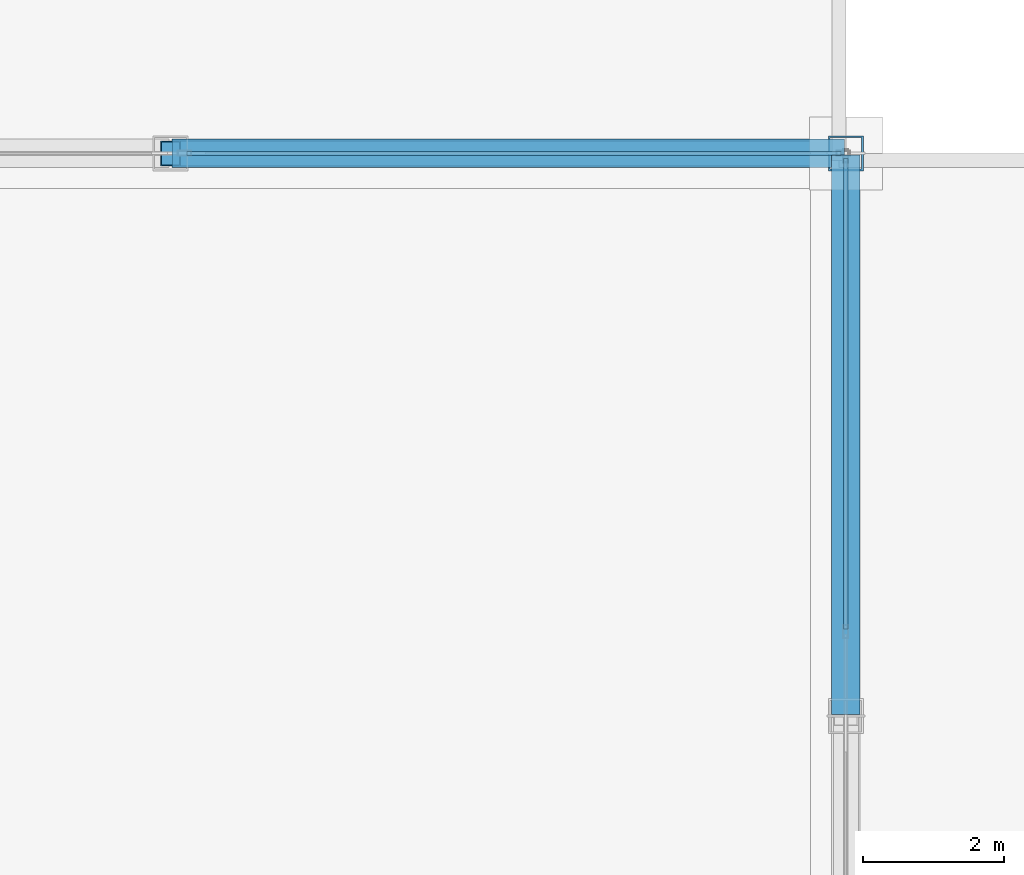
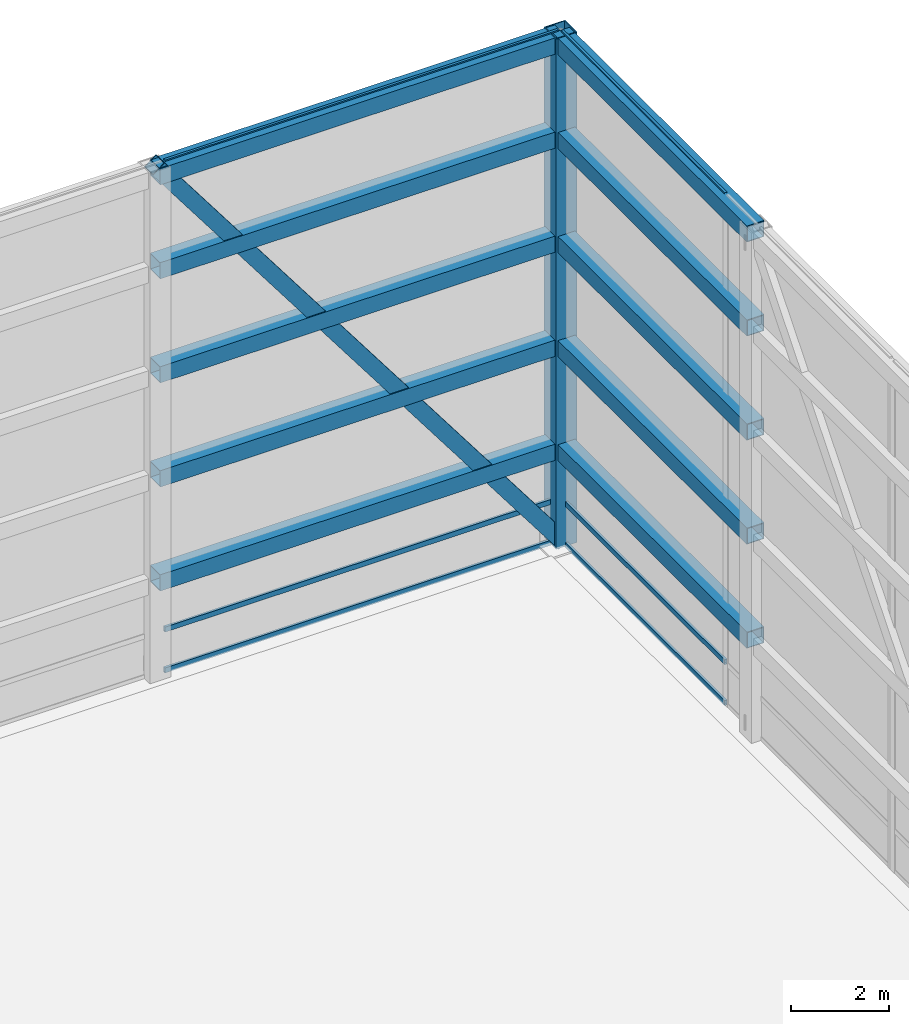
# One storey, part 18 of 23: 10 beams, 8 members, 2 elements without a shape of their own.
"""IFC4 building model written with IfcOpenShell, lengths in metres."""

from ifc_helpers import new_model, si_unit, direction, frame, origin, origin_2d, place, context, subcontext, project, spatial, hollow_rectangle, extrude, source, transform, mapped, material, layer, layer_set, material_profile, profile_set, type_object, type_shapes, element, aggregate, save


model = new_model("IFC4")

# Units and contexts
model_context = context("Model", 3, precision=1e-05, world=origin(), true_north=direction((0.0, 1.0)))
body_context = subcontext(model_context, "Body", "Model", "MODEL_VIEW")
ifc_project = project(units=[si_unit("LENGTHUNIT", "METRE"), si_unit("AREAUNIT", "SQUARE_METRE"), si_unit("VOLUMEUNIT", "CUBIC_METRE"), si_unit("PLANEANGLEUNIT", "RADIAN"), si_unit("MASSUNIT", "GRAM", prefix="KILO")], contexts=[model_context])

# Site, building, storey
site_placement = place(None, origin())
site = spatial("IfcSite", under=ifc_project, at=site_placement, CompositionType="ELEMENT")
building_placement = place(site_placement, origin())
building = spatial("IfcBuilding", under=site, at=building_placement, Name="Varnel Quay Broadcast Tower", CompositionType="ELEMENT")
storey_placement = place(building_placement, frame((0.0, 0.0, 319.800048828125)))
storey = spatial("IfcBuildingStorey", under=building, at=storey_placement, Name="Roof", CompositionType="ELEMENT", Elevation=319.800048828125)

# Member
ifc_material_1 = material(Name="Structural Steel CSA G40.21 350WT", Category="steel")
ifc_material_profile_1 = material_profile(ifc_material_1, hollow_rectangle(XDim=0.5, YDim=0.5, WallThickness=0.02490234375, at=origin_2d()), Name="BOX500X500X25")
ifc_profile_set_1 = profile_set([ifc_material_profile_1], Name="Structural Steel CSA G40.21 350WT")
member_type_1 = type_object("IfcMemberType", Name="CrownRingPost_BOX500", PredefinedType="POST", material=ifc_profile_set_1)
shared_shape_1 = source(origin(), body_context, "Body", "SweptSolid", [
    extrude(hollow_rectangle(XDim=0.5, YDim=0.5, WallThickness=0.02490234375, at=origin_2d()), origin(), (0.0, 0.0, 1.0), 12.75),
])
type_shapes(member_type_1, [shared_shape_1])
member_1_placement = place(storey_placement, frame((52.800048828125, 43.60009765625, 0.0), z_axis=(0.0, 0.0, 1.0), x_axis=(1.0, 0.0, 0.0)))
element("IfcMember", 1, at=member_1_placement, inside=storey, type_object=member_type_1, Name="CROWN FRAME Ring Post 8", PredefinedType="POST", context=body_context, shape_type="MappedRepresentation", body=[
    mapped(shared_shape_1, transform((0.0, 0.0, 0.0), x_axis=(1.0, 0.0, 0.0), y_axis=(0.0, 1.0, 0.0), z_axis=(0.0, 0.0, 1.0), scale=1.0)),
])

# Beams
ifc_material_profile_2 = material_profile(ifc_material_1, hollow_rectangle(XDim=0.406005859375, YDim=0.406005859375, WallThickness=0.01611328125, at=origin_2d()), Name="HSS406X406X16")
ifc_profile_set_2 = profile_set([ifc_material_profile_2], Name="Structural Steel CSA G40.21 350WT")
beam_type = type_object("IfcBeamType", Name="CrownRingBeam_HSS406", PredefinedType="BEAM", material=ifc_profile_set_2)
shared_shape_2 = source(origin(), body_context, "Body", "SweptSolid", [
    extrude(hollow_rectangle(XDim=0.406005859375, YDim=0.406005859375, WallThickness=0.01611328125, at=origin_2d()), origin(), (0.0, 0.0, 1.0), 9.56005859375),
])
for number, where, z_axis, x_axis, name in (
    (2, (52.780029296875, 43.60009765625, 2.39697265625), (-1.0, 0.0, 0.0), (0.0, -1.0, 0.0), "CROWN FRAME Ring Tier 1 Beam 8"),
    (3, (52.780029296875, 43.60009765625, 4.9970703125), (-1.0, 0.0, 0.0), (0.0, -1.0, 0.0), "CROWN FRAME Ring Tier 2 Beam 8"),
    (4, (52.780029296875, 43.60009765625, 7.596923828125), (-1.0, 0.0, 0.0), (0.0, -1.0, 0.0), "CROWN FRAME Ring Tier 3 Beam 8"),
    (5, (52.780029296875, 43.60009765625, 10.197021484375), (-1.0, 0.0, 0.0), (0.0, -1.0, 0.0), "CROWN FRAME Ring Tier 4 Beam 8"),
    (6, (52.780029296875, 43.60009765625, 12.546875), (-1.0, 0.0, 0.0), (0.0, -1.0, 0.0), "CROWN FRAME Ring Tier 5 Beam 8"),
):
    element("IfcBeam", number, at=place(storey_placement, frame(where, z_axis=z_axis, x_axis=x_axis)), inside=storey, type_object=beam_type, Name=name, PredefinedType="BEAM", context=body_context, shape_type="MappedRepresentation", body=[
        mapped(shared_shape_2, transform((0.0, 0.0, 0.0), x_axis=(1.0, 0.0, 0.0), y_axis=(0.0, 1.0, 0.0), z_axis=(0.0, 0.0, 1.0), scale=1.0)),
    ])
shared_shape_3 = source(origin(), body_context, "Body", "SweptSolid", [
    extrude(hollow_rectangle(XDim=0.406005859375, YDim=0.406005859375, WallThickness=0.01611328125, at=origin_2d()), origin(), (0.0, 0.0, 1.0), 7.9599609375),
])
type_shapes(beam_type, [shared_shape_2, shared_shape_3])
for number, where, z_axis, x_axis, name in (
    (7, (52.800048828125, 35.6201171875, 2.39697265625), (0.0, 1.0, 0.0), (-1.0, 0.0, 0.0), "CROWN FRAME Ring Tier 1 Beam 7"),
    (8, (52.800048828125, 35.6201171875, 4.9970703125), (0.0, 1.0, 0.0), (-1.0, 0.0, 0.0), "CROWN FRAME Ring Tier 2 Beam 7"),
    (9, (52.800048828125, 35.6201171875, 7.596923828125), (0.0, 1.0, 0.0), (-1.0, 0.0, 0.0), "CROWN FRAME Ring Tier 3 Beam 7"),
    (10, (52.800048828125, 35.6201171875, 10.197021484375), (0.0, 1.0, 0.0), (-1.0, 0.0, 0.0), "CROWN FRAME Ring Tier 4 Beam 7"),
    (11, (52.800048828125, 35.6201171875, 12.546875), (0.0, 1.0, 0.0), (-1.0, 0.0, 0.0), "CROWN FRAME Ring Tier 5 Beam 7"),
):
    element("IfcBeam", number, at=place(storey_placement, frame(where, z_axis=z_axis, x_axis=x_axis)), inside=storey, type_object=beam_type, Name=name, PredefinedType="BEAM", context=body_context, shape_type="MappedRepresentation", body=[
        mapped(shared_shape_3, transform((0.0, 0.0, 0.0), x_axis=(1.0, 0.0, 0.0), y_axis=(0.0, 1.0, 0.0), z_axis=(0.0, 0.0, 1.0), scale=1.0)),
    ])

# Member
ifc_material_2 = material(Name="Structural Steel CSA G40.21 350W", Category="steel")
ifc_material_profile_3 = material_profile(ifc_material_2, hollow_rectangle(XDim=0.35595703125, YDim=0.35595703125, WallThickness=0.01611328125, at=origin_2d()), Name="HSS356X356X16")
ifc_profile_set_3 = profile_set([ifc_material_profile_3], Name="Structural Steel CSA G40.21 350W")
member_type_2 = type_object("IfcMemberType", Name="CrownRingBrace_HSS356", PredefinedType="BRACE", material=ifc_profile_set_3)
shared_shape_4 = source(origin(), body_context, "Body", "SweptSolid", [
    extrude(hollow_rectangle(XDim=0.35595703125, YDim=0.35595703125, WallThickness=0.01611328125, at=origin_2d()), origin(), (0.0, 0.0, 1.0), 15.92822265625),
])
type_shapes(member_type_2, [shared_shape_4])
member_2_placement = place(storey_placement, frame((52.800048828125, 43.60009765625, 0.02001953125), z_axis=(-0.602713824571, 0.0, 0.797957420964), x_axis=(0.0, -1.0, 0.0)))
element("IfcMember", 12, at=member_2_placement, inside=storey, type_object=member_type_2, Name="CROWN FRAME Ring Brace 8", PredefinedType="BRACE", context=body_context, shape_type="MappedRepresentation", body=[
    mapped(shared_shape_4, transform((0.0, 0.0, 0.0), x_axis=(1.0, 0.0, 0.0), y_axis=(0.0, 1.0, 0.0), z_axis=(0.0, 0.0, 1.0), scale=1.0)),
])

# Curtain wall, members
ifc_material_3 = material(Name="Anodised Bronze Aluminium 6063-T6", Category="aluminium")
ifc_layer = layer(ifc_material_3, 0.18994140625, Name="Anodised Bronze Aluminium 6063-T6")
ifc_layer_set = layer_set([ifc_layer], Name="Anodised Bronze Aluminium 6063-T6")
curtain_wall_type = type_object("IfcCurtainWallType", Name="CW_CrownScreen", PredefinedType="NOTDEFINED", material=ifc_layer_set)
curtain_wall_1_placement = place(storey_placement, origin())
curtain_wall_1 = element("IfcCurtainWall", 13, at=curtain_wall_1_placement, inside=storey, type_object=curtain_wall_type, Name="Ring Crown Bronze Glazed Louvre Screen N1", PredefinedType="NOTDEFINED")
ifc_material_profile_4 = material_profile(ifc_material_3, hollow_rectangle(XDim=0.06005859375, YDim=0.125, WallThickness=0.0029296875, at=origin_2d()), Name="ALU60X125X3")
ifc_profile_set_4 = profile_set([ifc_material_profile_4], Name="Anodised Bronze Aluminium 6063-T6")
member_type_3 = type_object("IfcMemberType", Name="Tran_CWS-06", PredefinedType="USERDEFINED", material=ifc_profile_set_4)
shared_shape_5 = source(origin(), body_context, "Body", "SweptSolid", [
    extrude(hollow_rectangle(XDim=0.06005859375, YDim=0.125, WallThickness=0.0029296875, at=origin_2d()), origin(), (0.0, 0.0, 1.0), 9.294921875),
])
member_3_placement = place(storey_placement, frame((52.72998046875, 43.60009765625, 0.030029296875), z_axis=(-1.0, 0.0, 0.0), x_axis=(0.0, -1.0, 0.0)))
member_3 = element("IfcMember", 14, at=member_3_placement, type_object=member_type_3, Name="CWS-06 transom 1.1", ObjectType="TRANSOM", PredefinedType="USERDEFINED", context=body_context, shape_type="MappedRepresentation", body=[
    mapped(shared_shape_5, transform((0.0, 0.0, 0.0), x_axis=(1.0, 0.0, 0.0), y_axis=(0.0, 1.0, 0.0), z_axis=(0.0, 0.0, 1.0), scale=1.0)),
])
member_4_placement = place(storey_placement, frame((52.72998046875, 43.60009765625, 1.050048828125), z_axis=(-1.0, 0.0, 0.0), x_axis=(0.0, -1.0, 0.0)))
member_4 = element("IfcMember", 15, at=member_4_placement, type_object=member_type_3, Name="CWS-06 transom 1.2", ObjectType="TRANSOM", PredefinedType="USERDEFINED", context=body_context, shape_type="MappedRepresentation", body=[
    mapped(shared_shape_5, transform((0.0, 0.0, 0.0), x_axis=(1.0, 0.0, 0.0), y_axis=(0.0, 1.0, 0.0), z_axis=(0.0, 0.0, 1.0), scale=1.0)),
])
member_5_placement = place(storey_placement, frame((52.72998046875, 43.60009765625, 12.719970703125), z_axis=(-1.0, 0.0, 0.0), x_axis=(0.0, -1.0, 0.0)))
member_5 = element("IfcMember", 16, at=member_5_placement, type_object=member_type_3, Name="CWS-06 transom 1.3", ObjectType="TRANSOM", PredefinedType="USERDEFINED", context=body_context, shape_type="MappedRepresentation", body=[
    mapped(shared_shape_5, transform((0.0, 0.0, 0.0), x_axis=(1.0, 0.0, 0.0), y_axis=(0.0, 1.0, 0.0), z_axis=(0.0, 0.0, 1.0), scale=1.0)),
])
aggregate(curtain_wall_1, [member_3, member_4, member_5])

curtain_wall_2_placement = place(storey_placement, origin())
curtain_wall_2 = element("IfcCurtainWall", 17, at=curtain_wall_2_placement, inside=storey, type_object=curtain_wall_type, Name="Ring Crown Bronze Glazed Louvre Screen E2", PredefinedType="NOTDEFINED")
shared_shape_6 = source(origin(), body_context, "Body", "SweptSolid", [
    extrude(hollow_rectangle(XDim=0.06005859375, YDim=0.125, WallThickness=0.0029296875, at=origin_2d()), origin(), (0.0, 0.0, 1.0), 6.695068359375),
])
type_shapes(member_type_3, [shared_shape_5, shared_shape_6])
member_6_placement = place(storey_placement, frame((52.800048828125, 36.8349609375, 0.030029296875), z_axis=(0.0, 1.0, 0.0), x_axis=(-1.0, 0.0, 0.0)))
member_6 = element("IfcMember", 18, at=member_6_placement, type_object=member_type_3, Name="CWS-06 transom 2.1", ObjectType="TRANSOM", PredefinedType="USERDEFINED", context=body_context, shape_type="MappedRepresentation", body=[
    mapped(shared_shape_6, transform((0.0, 0.0, 0.0), x_axis=(1.0, 0.0, 0.0), y_axis=(0.0, 1.0, 0.0), z_axis=(0.0, 0.0, 1.0), scale=1.0)),
])
member_7_placement = place(storey_placement, frame((52.800048828125, 36.8349609375, 1.050048828125), z_axis=(0.0, 1.0, 0.0), x_axis=(-1.0, 0.0, 0.0)))
member_7 = element("IfcMember", 19, at=member_7_placement, type_object=member_type_3, Name="CWS-06 transom 2.2", ObjectType="TRANSOM", PredefinedType="USERDEFINED", context=body_context, shape_type="MappedRepresentation", body=[
    mapped(shared_shape_6, transform((0.0, 0.0, 0.0), x_axis=(1.0, 0.0, 0.0), y_axis=(0.0, 1.0, 0.0), z_axis=(0.0, 0.0, 1.0), scale=1.0)),
])
member_8_placement = place(storey_placement, frame((52.800048828125, 36.8349609375, 12.719970703125), z_axis=(0.0, 1.0, 0.0), x_axis=(-1.0, 0.0, 0.0)))
member_8 = element("IfcMember", 20, at=member_8_placement, type_object=member_type_3, Name="CWS-06 transom 2.3", ObjectType="TRANSOM", PredefinedType="USERDEFINED", context=body_context, shape_type="MappedRepresentation", body=[
    mapped(shared_shape_6, transform((0.0, 0.0, 0.0), x_axis=(1.0, 0.0, 0.0), y_axis=(0.0, 1.0, 0.0), z_axis=(0.0, 0.0, 1.0), scale=1.0)),
])
aggregate(curtain_wall_2, [member_6, member_7, member_8])

save(model, "model.ifc")
